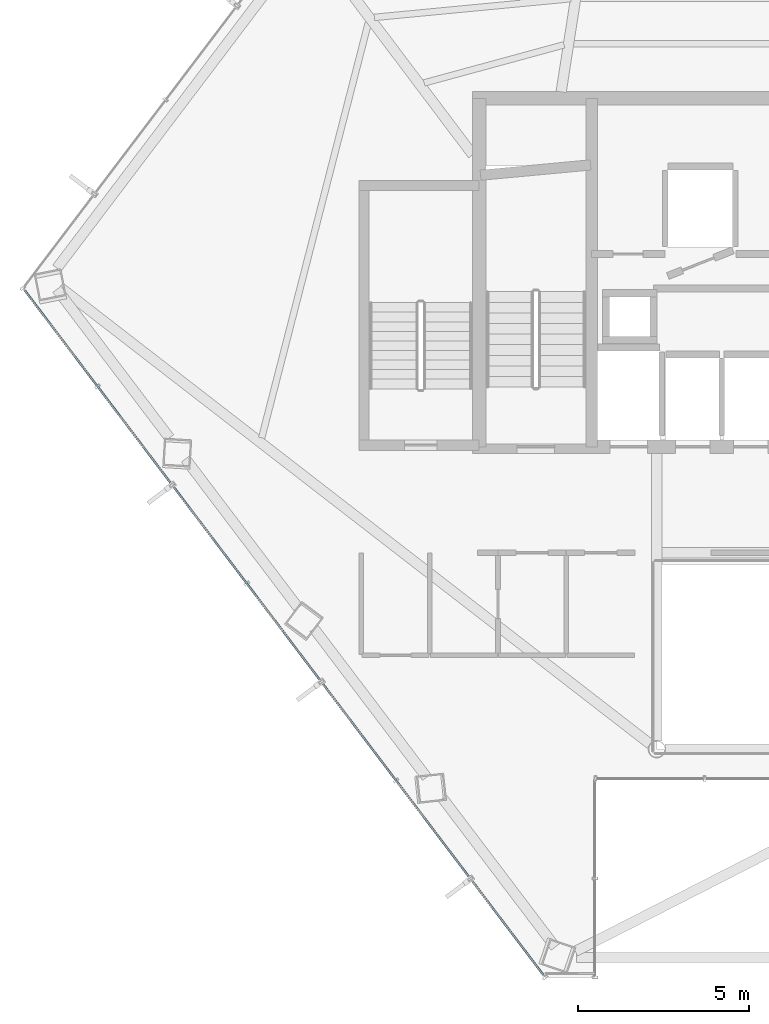
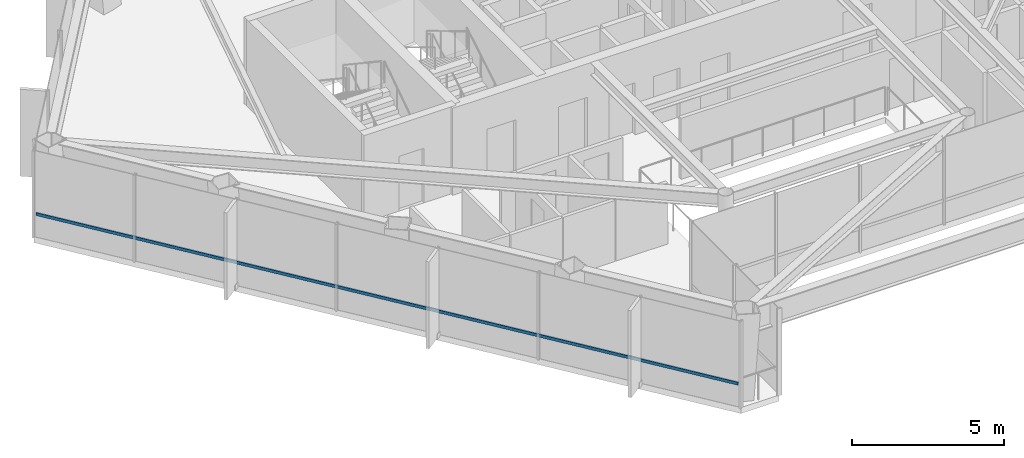
# One storey, part 3 of 30: 1 member, 1 element without a shape of its own.
"""IFC4 building model written with IfcOpenShell, lengths in metres."""

from ifc_helpers import new_model, si_unit, direction, frame, origin, origin_2d, place, context, subcontext, project, spatial, hollow_rectangle, extrude, material, layer, layer_set, material_profile, profile_set, type_object, element, aggregate, save


model = new_model("IFC4")

# Units and contexts
model_context = context("Model", 3, precision=1e-05, world=origin(), true_north=direction((0.0, 1.0)))
body_context = subcontext(model_context, "Body", "Model", "MODEL_VIEW")
ifc_project = project(units=[si_unit("LENGTHUNIT", "METRE"), si_unit("AREAUNIT", "SQUARE_METRE"), si_unit("VOLUMEUNIT", "CUBIC_METRE"), si_unit("PLANEANGLEUNIT", "RADIAN"), si_unit("MASSUNIT", "GRAM", prefix="KILO")], contexts=[model_context])

# Site, building, storey
site_placement = place(None, origin())
site = spatial("IfcSite", under=ifc_project, at=site_placement, CompositionType="ELEMENT")
building_placement = place(site_placement, origin())
building = spatial("IfcBuilding", under=site, at=building_placement, Name="Zarrinselat Tower", CompositionType="ELEMENT")
storey_placement = place(building_placement, frame((0.0, 0.0, 160.820068359375)))
storey = spatial("IfcBuildingStorey", under=building, at=storey_placement, Name="L39", CompositionType="ELEMENT", Elevation=160.820068359375)

# Curtain wall, member
ifc_material_1 = material(Name="Extruded Aluminium Alloy EN AW-6063 T6", Category="aluminium")
ifc_layer = layer(ifc_material_1, 0.175048828125)
ifc_layer_set = layer_set([ifc_layer], Name="Extruded Aluminium Alloy EN AW-6063 T6")
curtain_wall_type = type_object("IfcCurtainWallType", Name="CWS-HTL", PredefinedType="NOTDEFINED", material=ifc_layer_set)
curtain_wall_placement = place(storey_placement, origin())
curtain_wall = element("IfcCurtainWall", 1, at=curtain_wall_placement, inside=storey, type_object=curtain_wall_type, Name="L39 Unitised Curtain Wall CW-L39-E01", PredefinedType="NOTDEFINED")
ifc_material_2 = material(Name="Extruded Aluminium Alloy EN AW-6063 T6", Category="aluminium")
ifc_material_profile = material_profile(ifc_material_2, hollow_rectangle(XDim=0.06005859375, YDim=0.1201171875, WallThickness=0.00390625, at=origin_2d()), Name="RHS 120x60x4")
ifc_profile_set = profile_set([ifc_material_profile], Name="Extruded Aluminium Alloy EN AW-6063 T6")
member_type = type_object("IfcMemberType", Name="MEM-CW-TRN2", PredefinedType="USERDEFINED", material=ifc_profile_set)
member_placement = place(storey_placement, frame((30.47705078125, 17.795166015625, 0.949951171875), z_axis=(-0.603860306601, 0.797090164355, 0.0), x_axis=(-0.797090164355, -0.603860306601, 0.0)))
member = element("IfcMember", 2, at=member_placement, type_object=member_type, Name="CW-L39-E01 Transom 1", ObjectType="TRANSOM", PredefinedType="USERDEFINED", context=body_context, shape_type="SweptSolid", body=[
    extrude(hollow_rectangle(XDim=0.06005859375, YDim=0.1201171875, WallThickness=0.00390625, at=origin_2d()), origin(), (0.0, 0.0, 1.0), 25.13037109375),
])
aggregate(curtain_wall, [member])

save(model, "model.ifc")
